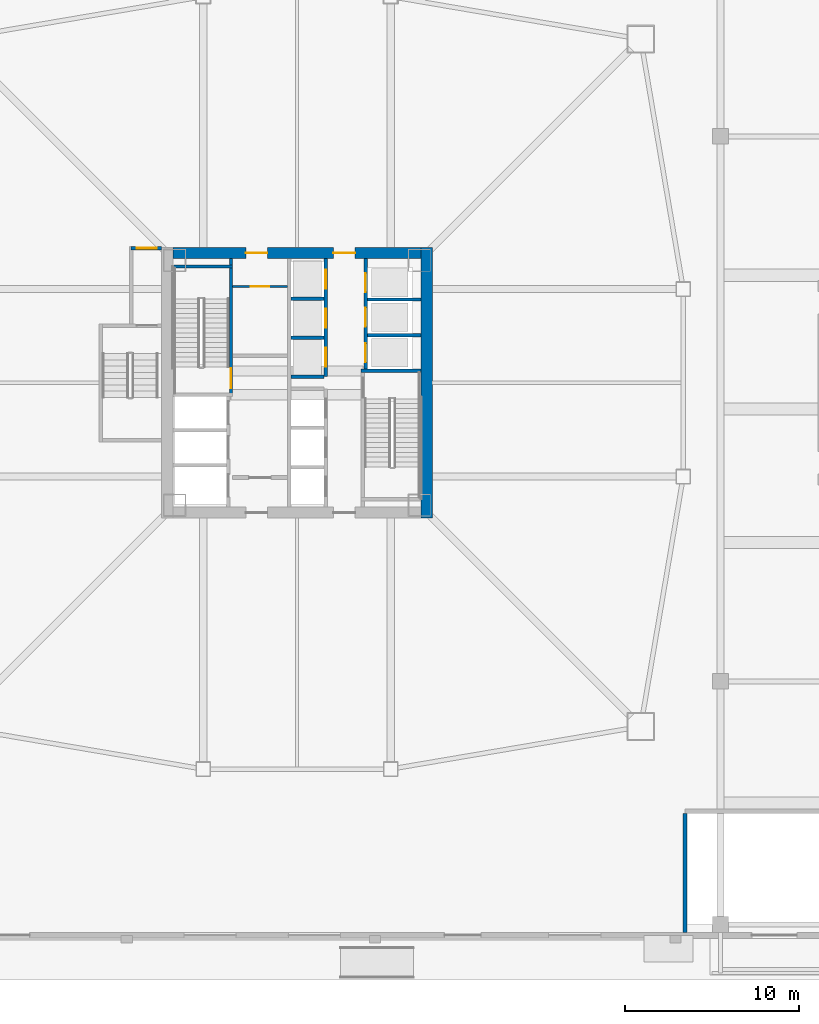
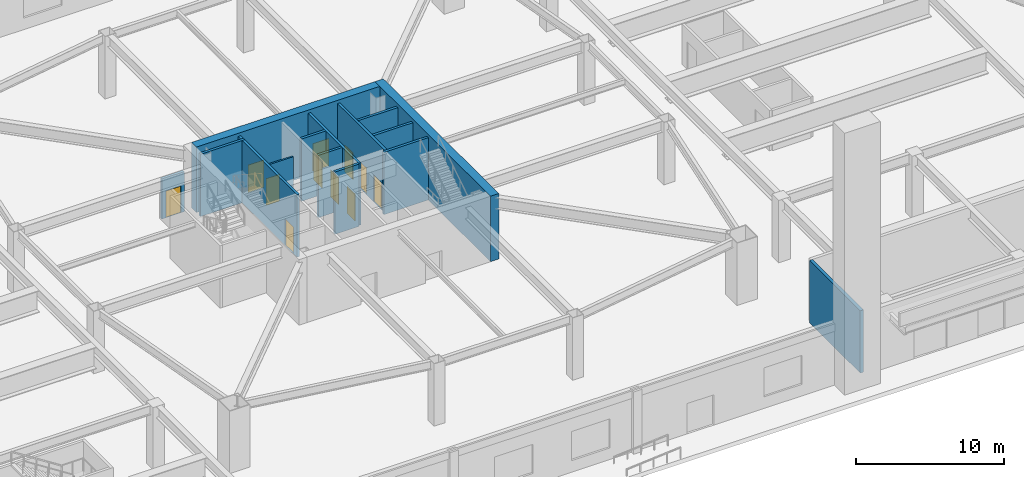
# One storey, part 9 of 26: 15 walls, 11 doors, 11 openings.
"""IFC4 building model written with IfcOpenShell, lengths in metres."""

from ifc_helpers import new_model, si_unit, direction, frame, frame_2d, origin, place, context, subcontext, project, spatial, rectangle, extrude, material, layer, layer_set, type_object, element, fill, save


model = new_model("IFC4")

# Units and contexts
model_context = context("Model", 3, precision=1e-05, world=origin(), true_north=direction((0.0, 1.0)))
body_context = subcontext(model_context, "Body", "Model", "MODEL_VIEW")
ifc_project = project(units=[si_unit("LENGTHUNIT", "METRE"), si_unit("AREAUNIT", "SQUARE_METRE"), si_unit("VOLUMEUNIT", "CUBIC_METRE"), si_unit("PLANEANGLEUNIT", "RADIAN"), si_unit("MASSUNIT", "GRAM", prefix="KILO")], contexts=[model_context])

# Site, building, storey
site_placement = place(None, origin())
site = spatial("IfcSite", under=ifc_project, at=site_placement, CompositionType="ELEMENT")
building_placement = place(site_placement, origin())
building = spatial("IfcBuilding", under=site, at=building_placement, Name="Tashvorn Skyway Center", CompositionType="ELEMENT")
storey_placement = place(building_placement, origin())
storey = spatial("IfcBuildingStorey", under=building, at=storey_placement, Name="L00", CompositionType="ELEMENT", Elevation=0.0)

# Wall
ifc_material_1 = material(Name="Concrete C60/75", Category="concrete")
ifc_layer_1 = layer(ifc_material_1, 0.64990234375)
ifc_layer_set_1 = layer_set([ifc_layer_1], Name="Concrete C60/75")
wall_type_1 = type_object("IfcWallType", Name="WALL-CORE-650", PredefinedType="SHEAR", material=ifc_layer_set_1)
wall_1_placement = place(storey_placement, frame((49.47509765625, 39.800048828125, 0.0), z_axis=(0.0, 0.0, 1.0), x_axis=(0.0, -1.0, 0.0)))
element("IfcWall", 1, at=wall_1_placement, inside=storey, type_object=wall_type_1, Name="Tower 1 L00 East Core Shear Wall", PredefinedType="SHEAR", context=body_context, shape_type="SweptSolid", body=[
    extrude(rectangle(XDim=15.60009765625, YDim=0.64990234375, at=frame_2d((7.800048828125, 0.0))), origin(), (0.0, 0.0, 1.0), 5.39990234375),
])

# Wall, openings, doors
wall_2_placement = place(storey_placement, frame((34.85009765625, 39.47509765625, 0.0), z_axis=(0.0, 0.0, 1.0), x_axis=(1.0, 0.0, 0.0)))
wall_2 = element("IfcWall", 2, at=wall_2_placement, inside=storey, type_object=wall_type_1, Name="Tower 1 L00 North Core Shear Wall", PredefinedType="SHEAR", context=body_context, shape_type="SweptSolid", body=[
    extrude(rectangle(XDim=14.2998046875, YDim=0.64990234375, at=frame_2d((7.14990234375, 0.0))), origin(), (0.0, 0.0, 1.0), 5.39990234375),
])
opening_1_placement = place(wall_2_placement, frame((4.199951171875, 0.0, 0.0)))
opening_1 = element("IfcOpeningElement", 3, at=opening_1_placement, cuts=wall_2, Name="Opening D-FFL-1250", PredefinedType="OPENING", context=body_context, shape_type="SweptSolid", body=[
    extrude(rectangle(XDim=1.25, YDim=2.25, at=frame_2d((0.625, 1.125))), frame((0.0, 0.3349609375, 0.0), z_axis=(0.0, -1.0, 0.0), x_axis=(1.0, 0.0, 0.0)), (0.0, 0.0, 1.0), 0.669921875),
])
opening_2_placement = place(wall_2_placement, frame((9.25, 0.0, 0.0)))
opening_2 = element("IfcOpeningElement", 4, at=opening_2_placement, cuts=wall_2, Name="Opening D-FFL-1250", PredefinedType="OPENING", context=body_context, shape_type="SweptSolid", body=[
    extrude(rectangle(XDim=1.25, YDim=2.25, at=frame_2d((0.625, 1.125))), frame((0.0, 0.3349609375, 0.0), z_axis=(0.0, -1.0, 0.0), x_axis=(1.0, 0.0, 0.0)), (0.0, 0.0, 1.0), 0.669921875),
])
ifc_material_2 = material(Name="Hollow galvanized steel fire door assembly", Category="steel")
door_type_1 = type_object("IfcDoorType", Name="DOOR-FFL-1250", OperationType="NOTDEFINED", PredefinedType="DOOR", material=ifc_material_2)
door_1_placement = place(opening_1_placement, origin())
door_1 = element("IfcDoor", 5, at=door_1_placement, inside=storey, type_object=door_type_1, Name="Tower 1 L00 Core North Service Lobby Door", OperationType="SINGLE_SWING_LEFT", OverallHeight=2.25, OverallWidth=1.25, PredefinedType="DOOR", context=body_context, shape_type="SweptSolid", body=[
    extrude(rectangle(XDim=1.25, YDim=2.25, at=frame_2d((0.625, 1.125))), frame((0.0, 0.02490234375, 0.0), z_axis=(0.0, -1.0, 0.0), x_axis=(1.0, 0.0, 0.0)), (0.0, 0.0, 1.0), 0.050048828125),
])
fill(opening_1, door_1)
door_2_placement = place(opening_2_placement, origin())
door_2 = element("IfcDoor", 6, at=door_2_placement, inside=storey, type_object=door_type_1, Name="Tower 1 L00 Core North Lift Lobby Door", OperationType="SINGLE_SWING_RIGHT", OverallHeight=2.25, OverallWidth=1.25, PredefinedType="DOOR", context=body_context, shape_type="SweptSolid", body=[
    extrude(rectangle(XDim=1.25, YDim=2.25, at=frame_2d((0.625, 1.125))), frame((0.0, 0.02490234375, 0.0), z_axis=(0.0, -1.0, 0.0), x_axis=(1.0, 0.0, 0.0)), (0.0, 0.0, 1.0), 0.050048828125),
])
fill(opening_2, door_2)

# Wall, opening, door
ifc_material_3 = material(Name="Gypsum board on cold-formed steel stud framing", Category="steel")
ifc_layer_2 = layer(ifc_material_3, 0.135009765625)
ifc_layer_set_2 = layer_set([ifc_layer_2], Name="Gypsum board on cold-formed steel stud framing")
wall_type_2 = type_object("IfcWallType", Name="WALL-RATED-135", PredefinedType="PARTITIONING", material=ifc_layer_set_2)
wall_3_placement = place(storey_placement, frame((38.300048828125, 37.550048828125, 0.0), z_axis=(0.0, 0.0, 1.0), x_axis=(1.0, 0.0, 0.0)))
wall_3 = element("IfcWall", 7, at=wall_3_placement, inside=storey, type_object=wall_type_2, Name="Tower 1 L00 Core Service Lobby Wall", PredefinedType="PARTITIONING", context=body_context, shape_type="SweptSolid", body=[
    extrude(rectangle(XDim=3.14990234375, YDim=0.135009765625, at=frame_2d((1.574951171875, 0.0))), origin(), (0.0, 0.0, 1.0), 3.31005859375),
])
opening_3_placement = place(wall_3_placement, frame((1.050048828125, 0.0, 0.0)))
opening_3 = element("IfcOpeningElement", 8, at=opening_3_placement, cuts=wall_3, Name="Opening D-RT-1050", PredefinedType="OPENING", context=body_context, shape_type="SweptSolid", body=[
    extrude(rectangle(XDim=1.050048828125, YDim=2.199951171875, at=frame_2d((0.52490234375, 1.10009765625))), frame((0.0, 0.077392578125, 0.0), z_axis=(0.0, -1.0, 0.0), x_axis=(1.0, 0.0, 0.0)), (0.0, 0.0, 1.0), 0.155029296875),
])
door_type_2 = type_object("IfcDoorType", Name="DOOR-RATED-1050", OperationType="NOTDEFINED", PredefinedType="DOOR", material=ifc_material_2)
door_3_placement = place(opening_3_placement, origin())
door_3 = element("IfcDoor", 9, at=door_3_placement, inside=storey, type_object=door_type_2, Name="Tower 1 L00 Core Accessible WC Door", OperationType="SINGLE_SWING_LEFT", OverallHeight=2.199951171875, OverallWidth=1.050048828125, PredefinedType="DOOR", context=body_context, shape_type="SweptSolid", body=[
    extrude(rectangle(XDim=1.050048828125, YDim=2.199951171875, at=frame_2d((0.52490234375, 1.10009765625))), frame((0.0, 0.02490234375, 0.0), z_axis=(0.0, -1.0, 0.0), x_axis=(1.0, 0.0, 0.0)), (0.0, 0.0, 1.0), 0.050048828125),
])
fill(opening_3, door_3)

# Walls
ifc_material_4 = material(Name="Concrete C40/50", Category="concrete")
ifc_layer_3 = layer(ifc_material_4, 0.199951171875)
ifc_layer_set_3 = layer_set([ifc_layer_3], Name="Concrete C40/50")
wall_type_3 = type_object("IfcWallType", Name="WALL-SHAFT-200", PredefinedType="SOLIDWALL", material=ifc_layer_set_3)
for number, where, z_axis, x_axis, name in (
    (10, (46.050048828125, 34.75, 0.0), (0.0, 0.0, 1.0), (1.0, 0.0, 0.0), "Tower 1 L00 High-Rise Shaft Divider"),
    (11, (46.050048828125, 36.800048828125, 0.0), (0.0, 0.0, 1.0), (1.0, 0.0, 0.0), "Tower 1 L00 High-Rise Shaft Divider"),
):
    element("IfcWall", number, at=place(storey_placement, frame(where, z_axis=z_axis, x_axis=x_axis)), inside=storey, type_object=wall_type_3, Name=name, PredefinedType="SOLIDWALL", context=body_context, shape_type="SweptSolid", body=[
        extrude(rectangle(XDim=3.099853515625, YDim=0.199951171875, at=frame_2d((1.5498046875, 0.0))), origin(), (0.0, 0.0, 1.0), 5.139892578125),
    ])

# Wall, openings, doors
wall_4_placement = place(storey_placement, frame((43.64990234375, 32.35009765625, 0.0), z_axis=(0.0, 0.0, 1.0), x_axis=(0.0, 1.0, 0.0)))
wall_4 = element("IfcWall", 12, at=wall_4_placement, inside=storey, type_object=wall_type_3, Name="Tower 1 L00 Mid-Rise Core Wall", PredefinedType="SOLIDWALL", context=body_context, shape_type="SweptSolid", body=[
    extrude(rectangle(XDim=6.7998046875, YDim=0.199951171875, at=frame_2d((3.39990234375, 0.0))), origin(), (0.0, 0.0, 1.0), 5.139892578125),
])
opening_4_placement = place(wall_4_placement, frame((0.574951171875, 0.0, 0.0)))
opening_4 = element("IfcOpeningElement", 13, at=opening_4_placement, cuts=wall_4, Name="Opening LD-MR-T1-1-L00", PredefinedType="OPENING", context=body_context, shape_type="SweptSolid", body=[
    extrude(rectangle(XDim=1.10009765625, YDim=2.199951171875, at=frame_2d((0.550048828125, 1.10009765625))), frame((0.0, 0.10986328125, 0.0), z_axis=(0.0, -1.0, 0.0), x_axis=(1.0, 0.0, 0.0)), (0.0, 0.0, 1.0), 0.219970703125),
])
opening_5_placement = place(wall_4_placement, frame((2.824951171875, 0.0, 0.0)))
opening_5 = element("IfcOpeningElement", 14, at=opening_5_placement, cuts=wall_4, Name="Opening LD-MR-T1-2-L00", PredefinedType="OPENING", context=body_context, shape_type="SweptSolid", body=[
    extrude(rectangle(XDim=1.10009765625, YDim=2.199951171875, at=frame_2d((0.550048828125, 1.10009765625))), frame((0.0, 0.10986328125, 0.0), z_axis=(0.0, -1.0, 0.0), x_axis=(1.0, 0.0, 0.0)), (0.0, 0.0, 1.0), 0.219970703125),
])
opening_6_placement = place(wall_4_placement, frame((5.074951171875, 0.0, 0.0)))
opening_6 = element("IfcOpeningElement", 15, at=opening_6_placement, cuts=wall_4, Name="Opening LD-MR-T1-3-L00", PredefinedType="OPENING", context=body_context, shape_type="SweptSolid", body=[
    extrude(rectangle(XDim=1.10009765625, YDim=2.199951171875, at=frame_2d((0.550048828125, 1.10009765625))), frame((0.0, 0.10986328125, 0.0), z_axis=(0.0, -1.0, 0.0), x_axis=(1.0, 0.0, 0.0)), (0.0, 0.0, 1.0), 0.219970703125),
])
ifc_material_5 = material(Name="Stainless steel landing door", Category="steel")
door_type_3 = type_object("IfcDoorType", Name="DOOR-LIFT-1100", OperationType="SLIDING_TO_LEFT", PredefinedType="DOOR", material=ifc_material_5)
door_4_placement = place(opening_4_placement, origin())
door_4 = element("IfcDoor", 16, at=door_4_placement, inside=storey, type_object=door_type_3, Name="Lift MR-T1-1 L00 Landing Door", OperationType="SLIDING_TO_LEFT", OverallHeight=2.199951171875, OverallWidth=1.10009765625, PredefinedType="DOOR", context=body_context, shape_type="SweptSolid", body=[
    extrude(rectangle(XDim=1.10009765625, YDim=2.199951171875, at=frame_2d((0.550048828125, 1.10009765625))), frame((0.0, 0.02490234375, 0.0), z_axis=(0.0, -1.0, 0.0), x_axis=(1.0, 0.0, 0.0)), (0.0, 0.0, 1.0), 0.050048828125),
])
fill(opening_4, door_4)
door_5_placement = place(opening_5_placement, origin())
door_5 = element("IfcDoor", 17, at=door_5_placement, inside=storey, type_object=door_type_3, Name="Lift MR-T1-2 L00 Landing Door", OperationType="SLIDING_TO_LEFT", OverallHeight=2.199951171875, OverallWidth=1.10009765625, PredefinedType="DOOR", context=body_context, shape_type="SweptSolid", body=[
    extrude(rectangle(XDim=1.10009765625, YDim=2.199951171875, at=frame_2d((0.550048828125, 1.10009765625))), frame((0.0, 0.02490234375, 0.0), z_axis=(0.0, -1.0, 0.0), x_axis=(1.0, 0.0, 0.0)), (0.0, 0.0, 1.0), 0.050048828125),
])
fill(opening_5, door_5)
door_6_placement = place(opening_6_placement, origin())
door_6 = element("IfcDoor", 18, at=door_6_placement, inside=storey, type_object=door_type_3, Name="Lift MR-T1-3 L00 Landing Door", OperationType="SLIDING_TO_LEFT", OverallHeight=2.199951171875, OverallWidth=1.10009765625, PredefinedType="DOOR", context=body_context, shape_type="SweptSolid", body=[
    extrude(rectangle(XDim=1.10009765625, YDim=2.199951171875, at=frame_2d((0.550048828125, 1.10009765625))), frame((0.0, 0.02490234375, 0.0), z_axis=(0.0, -1.0, 0.0), x_axis=(1.0, 0.0, 0.0)), (0.0, 0.0, 1.0), 0.050048828125),
])
fill(opening_6, door_6)

# Walls
for number, where, z_axis, x_axis, name in (
    (19, (41.669921875, 32.35009765625, 0.0), (0.0, 0.0, 1.0), (1.0, 0.0, 0.0), "Tower 1 L00 Mid-Rise Shaft Divider"),
    (20, (41.669921875, 34.60009765625, 0.0), (0.0, 0.0, 1.0), (1.0, 0.0, 0.0), "Tower 1 L00 Mid-Rise Shaft Divider"),
    (21, (41.669921875, 36.85009765625, 0.0), (0.0, 0.0, 1.0), (1.0, 0.0, 0.0), "Tower 1 L00 Mid-Rise Shaft Divider"),
):
    element("IfcWall", number, at=place(storey_placement, frame(where, z_axis=z_axis, x_axis=x_axis)), inside=storey, type_object=wall_type_3, Name=name, PredefinedType="SOLIDWALL", context=body_context, shape_type="SweptSolid", body=[
        extrude(rectangle(XDim=1.880126953125, YDim=0.199951171875, at=frame_2d((0.93994140625, 0.0))), origin(), (0.0, 0.0, 1.0), 5.139892578125),
    ])

# Wall, opening, door
wall_5_placement = place(storey_placement, frame((32.449951171875, 39.75, 0.0), z_axis=(0.0, 0.0, 1.0), x_axis=(1.0, 0.0, 0.0)))
wall_5 = element("IfcWall", 22, at=wall_5_placement, inside=storey, type_object=wall_type_3, Name="Tower 1 L00 Stair 3 Exit Passage End Wall", PredefinedType="SOLIDWALL", context=body_context, shape_type="SweptSolid", body=[
    extrude(rectangle(XDim=1.75, YDim=0.199951171875, at=frame_2d((0.875, 0.0))), origin(), (0.0, 0.0, 1.0), 3.31005859375),
])
opening_7_placement = place(wall_5_placement, frame((0.324951171875, 0.0, 0.0)))
opening_7 = element("IfcOpeningElement", 23, at=opening_7_placement, cuts=wall_5, Name="Opening D-ST-1150", PredefinedType="OPENING", context=body_context, shape_type="SweptSolid", body=[
    extrude(rectangle(XDim=1.14990234375, YDim=2.199951171875, at=frame_2d((0.574951171875, 1.10009765625))), frame((0.0, 0.10986328125, 0.0), z_axis=(0.0, -1.0, 0.0), x_axis=(1.0, 0.0, 0.0)), (0.0, 0.0, 1.0), 0.219970703125),
])
door_type_4 = type_object("IfcDoorType", Name="DOOR-STAIR-1150", OperationType="NOTDEFINED", PredefinedType="DOOR", material=ifc_material_2)
door_7_placement = place(opening_7_placement, origin())
door_7 = element("IfcDoor", 24, at=door_7_placement, inside=storey, type_object=door_type_4, Name="Tower 1 L00 Exit Stair 3 Passage Door", OperationType="SINGLE_SWING_LEFT", OverallHeight=2.199951171875, OverallWidth=1.14990234375, PredefinedType="DOOR", context=body_context, shape_type="SweptSolid", body=[
    extrude(rectangle(XDim=1.14990234375, YDim=2.199951171875, at=frame_2d((0.574951171875, 1.10009765625))), frame((0.0, 0.02490234375, 0.0), z_axis=(0.0, -1.0, 0.0), x_axis=(1.0, 0.0, 0.0)), (0.0, 0.0, 1.0), 0.050048828125),
])
fill(opening_7, door_7)

# Wall
ifc_layer_4 = layer(ifc_material_4, 0.25)
ifc_layer_set_4 = layer_set([ifc_layer_4], Name="Concrete C40/50")
wall_type_4 = type_object("IfcWallType", Name="WALL-SHAFT-250", PredefinedType="SOLIDWALL", material=ifc_layer_set_4)
wall_6_placement = place(storey_placement, frame((64.35009765625, 0.35009765625, 0.0), z_axis=(0.0, 0.0, 1.0), x_axis=(0.0, 1.0, 0.0)))
element("IfcWall", 25, at=wall_6_placement, inside=storey, type_object=wall_type_4, Name="L00 Vehicle Ramp Well West Fire Wall", PredefinedType="SOLIDWALL", context=body_context, shape_type="SweptSolid", body=[
    extrude(rectangle(XDim=6.849853515625, YDim=0.25, at=frame_2d((3.4248046875, 0.0))), origin(), (0.0, 0.0, 1.0), 5.139892578125),
])

# Wall, opening, door
ifc_layer_5 = layer(ifc_material_4, 0.199951171875)
ifc_layer_set_5 = layer_set([ifc_layer_5], Name="Concrete C40/50")
wall_type_5 = type_object("IfcWallType", Name="WALL-STSHF-200", PredefinedType="SHEAR", material=ifc_layer_set_5)
wall_7_placement = place(storey_placement, frame((38.199951171875, 39.14990234375, 0.0), z_axis=(0.0, 0.0, 1.0), x_axis=(0.0, -1.0, 0.0)))
wall_7 = element("IfcWall", 26, at=wall_7_placement, inside=storey, type_object=wall_type_5, Name="Tower 1 L00 Stair 1 Enclosure Wall", PredefinedType="SHEAR", context=body_context, shape_type="SweptSolid", body=[
    extrude(rectangle(XDim=7.949951171875, YDim=0.199951171875, at=frame_2d((3.97509765625, 0.0))), origin(), (0.0, 0.0, 1.0), 5.139892578125),
])
opening_8_placement = place(wall_7_placement, frame((6.300048828125, 0.0, 0.0)))
opening_8 = element("IfcOpeningElement", 27, at=opening_8_placement, cuts=wall_7, Name="Opening D-ST-1150", PredefinedType="OPENING", context=body_context, shape_type="SweptSolid", body=[
    extrude(rectangle(XDim=1.14990234375, YDim=2.199951171875, at=frame_2d((0.574951171875, 1.10009765625))), frame((0.0, 0.10986328125, 0.0), z_axis=(0.0, -1.0, 0.0), x_axis=(1.0, 0.0, 0.0)), (0.0, 0.0, 1.0), 0.219970703125),
])
door_8_placement = place(opening_8_placement, origin())
door_8 = element("IfcDoor", 28, at=door_8_placement, inside=storey, type_object=door_type_4, Name="Tower 1 L00 Exit Stair 1 Discharge Door", OperationType="SINGLE_SWING_LEFT", OverallHeight=2.199951171875, OverallWidth=1.14990234375, PredefinedType="DOOR", context=body_context, shape_type="SweptSolid", body=[
    extrude(rectangle(XDim=1.14990234375, YDim=2.199951171875, at=frame_2d((0.574951171875, 1.10009765625))), frame((0.0, 0.02490234375, 0.0), z_axis=(0.0, -1.0, 0.0), x_axis=(1.0, 0.0, 0.0)), (0.0, 0.0, 1.0), 0.050048828125),
])
fill(opening_8, door_8)

# Walls
for number, where, z_axis, x_axis, name in (
    (29, (34.85009765625, 38.699951171875, 0.0), (0.0, 0.0, 1.0), (1.0, 0.0, 0.0), "Tower 1 L00 Stair 1 North Wall"),
    (30, (45.699951171875, 32.699951171875, 0.0), (0.0, 0.0, 1.0), (1.0, 0.0, 0.0), "Tower 1 L00 Stair 2 North Wall"),
):
    element("IfcWall", number, at=place(storey_placement, frame(where, z_axis=z_axis, x_axis=x_axis)), inside=storey, type_object=wall_type_5, Name=name, PredefinedType="SHEAR", context=body_context, shape_type="SweptSolid", body=[
        extrude(rectangle(XDim=3.449951171875, YDim=0.199951171875, at=frame_2d((1.72509765625, 0.0))), origin(), (0.0, 0.0, 1.0), 5.139892578125),
    ])

# Wall, openings, doors
wall_8_placement = place(storey_placement, frame((45.949951171875, 39.14990234375, 0.0), z_axis=(0.0, 0.0, 1.0), x_axis=(0.0, -1.0, 0.0)))
wall_8 = element("IfcWall", 31, at=wall_8_placement, inside=storey, type_object=wall_type_5, Name="Tower 1 L00 High-Rise Lift Shaft Front Wall", PredefinedType="SHEAR", context=body_context, shape_type="SweptSolid", body=[
    extrude(rectangle(XDim=6.349853515625, YDim=0.199951171875, at=frame_2d((3.1748046875, 0.0))), origin(), (0.0, 0.0, 1.0), 5.139892578125),
])
opening_9_placement = place(wall_8_placement, frame((4.875, 0.0, 0.0)))
opening_9 = element("IfcOpeningElement", 32, at=opening_9_placement, cuts=wall_8, Name="Opening LD-HR-T1-1-L00", PredefinedType="OPENING", context=body_context, shape_type="SweptSolid", body=[
    extrude(rectangle(XDim=1.10009765625, YDim=2.199951171875, at=frame_2d((0.550048828125, 1.10009765625))), frame((0.0, 0.10986328125, 0.0), z_axis=(0.0, -1.0, 0.0), x_axis=(1.0, 0.0, 0.0)), (0.0, 0.0, 1.0), 0.219970703125),
])
opening_10_placement = place(wall_8_placement, frame((2.824951171875, 0.0, 0.0)))
opening_10 = element("IfcOpeningElement", 33, at=opening_10_placement, cuts=wall_8, Name="Opening LD-HR-T1-2-L00", PredefinedType="OPENING", context=body_context, shape_type="SweptSolid", body=[
    extrude(rectangle(XDim=1.10009765625, YDim=2.199951171875, at=frame_2d((0.550048828125, 1.10009765625))), frame((0.0, 0.10986328125, 0.0), z_axis=(0.0, -1.0, 0.0), x_axis=(1.0, 0.0, 0.0)), (0.0, 0.0, 1.0), 0.219970703125),
])
opening_11_placement = place(wall_8_placement, frame((0.824951171875, 0.0, 0.0)))
opening_11 = element("IfcOpeningElement", 34, at=opening_11_placement, cuts=wall_8, Name="Opening LD-HR-T1-3-L00", PredefinedType="OPENING", context=body_context, shape_type="SweptSolid", body=[
    extrude(rectangle(XDim=1.10009765625, YDim=2.199951171875, at=frame_2d((0.550048828125, 1.10009765625))), frame((0.0, 0.10986328125, 0.0), z_axis=(0.0, -1.0, 0.0), x_axis=(1.0, 0.0, 0.0)), (0.0, 0.0, 1.0), 0.219970703125),
])
door_9_placement = place(opening_9_placement, origin())
door_9 = element("IfcDoor", 35, at=door_9_placement, inside=storey, type_object=door_type_3, Name="Lift HR-T1-1 L00 Landing Door", OperationType="SLIDING_TO_LEFT", OverallHeight=2.199951171875, OverallWidth=1.10009765625, PredefinedType="DOOR", context=body_context, shape_type="SweptSolid", body=[
    extrude(rectangle(XDim=1.10009765625, YDim=2.199951171875, at=frame_2d((0.550048828125, 1.10009765625))), frame((0.0, 0.02490234375, 0.0), z_axis=(0.0, -1.0, 0.0), x_axis=(1.0, 0.0, 0.0)), (0.0, 0.0, 1.0), 0.050048828125),
])
fill(opening_9, door_9)
door_10_placement = place(opening_10_placement, origin())
door_10 = element("IfcDoor", 36, at=door_10_placement, inside=storey, type_object=door_type_3, Name="Lift HR-T1-2 L00 Landing Door", OperationType="SLIDING_TO_LEFT", OverallHeight=2.199951171875, OverallWidth=1.10009765625, PredefinedType="DOOR", context=body_context, shape_type="SweptSolid", body=[
    extrude(rectangle(XDim=1.10009765625, YDim=2.199951171875, at=frame_2d((0.550048828125, 1.10009765625))), frame((0.0, 0.02490234375, 0.0), z_axis=(0.0, -1.0, 0.0), x_axis=(1.0, 0.0, 0.0)), (0.0, 0.0, 1.0), 0.050048828125),
])
fill(opening_10, door_10)
door_11_placement = place(opening_11_placement, origin())
door_11 = element("IfcDoor", 37, at=door_11_placement, inside=storey, type_object=door_type_3, Name="Lift HR-T1-3 L00 Landing Door", OperationType="SLIDING_TO_LEFT", OverallHeight=2.199951171875, OverallWidth=1.10009765625, PredefinedType="DOOR", context=body_context, shape_type="SweptSolid", body=[
    extrude(rectangle(XDim=1.10009765625, YDim=2.199951171875, at=frame_2d((0.550048828125, 1.10009765625))), frame((0.0, 0.02490234375, 0.0), z_axis=(0.0, -1.0, 0.0), x_axis=(1.0, 0.0, 0.0)), (0.0, 0.0, 1.0), 0.050048828125),
])
fill(opening_11, door_11)

save(model, "model.ifc")
